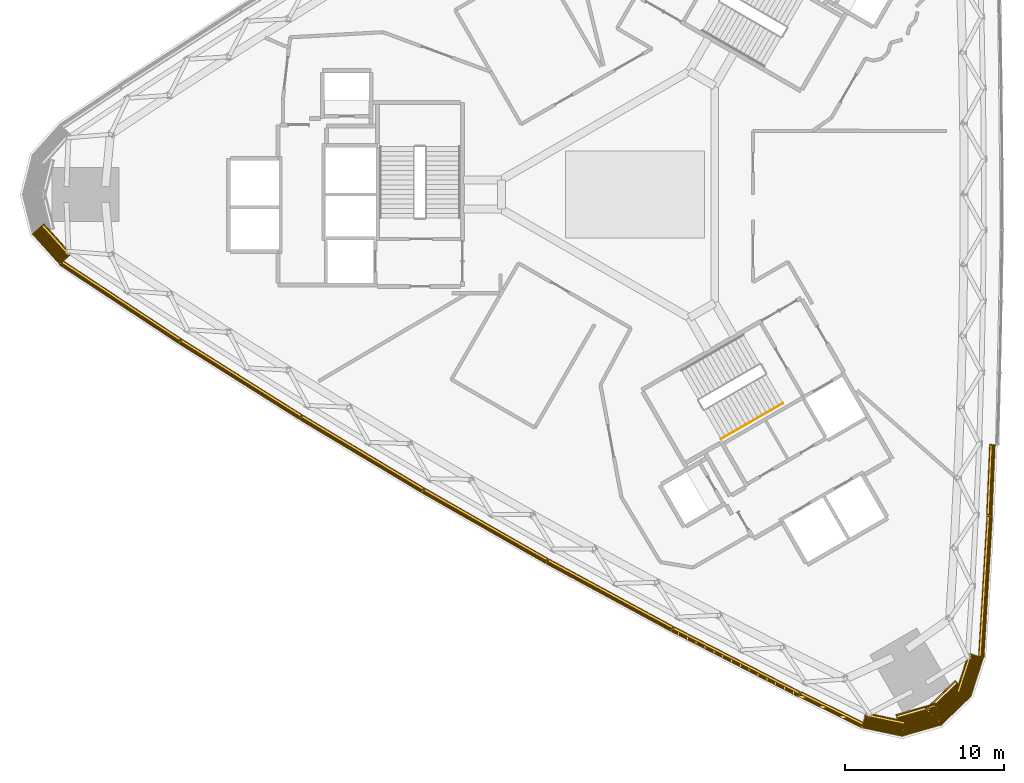
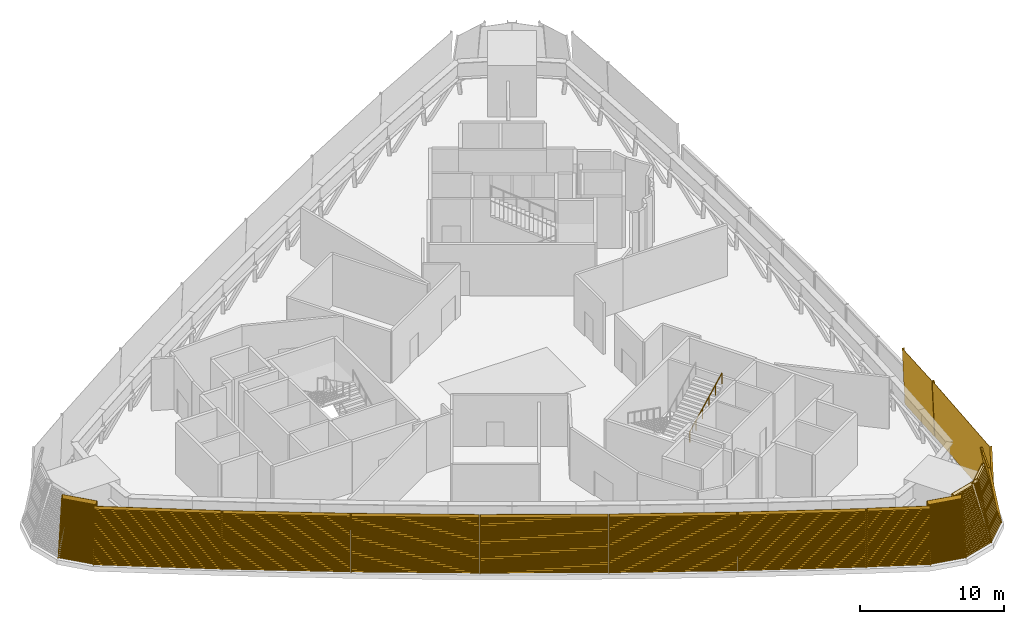
# One storey, part 16 of 19: 14 coverings, 1 railing.
"""IFC4 building model written with IfcOpenShell, lengths in metres."""

from ifc_helpers import new_model, si_unit, direction, frame, frame_2d, origin, origin_2d, place, context, subcontext, project, spatial, rectangle, circle, extrude, source, transform, mapped, material, type_object, element, save


model = new_model("IFC4")

# Units and contexts
model_context = context("Model", 3, precision=1e-05, world=origin(), true_north=direction((0.0, 1.0)))
body_context = subcontext(model_context, "Body", "Model", "MODEL_VIEW")
ifc_project = project(units=[si_unit("LENGTHUNIT", "METRE"), si_unit("AREAUNIT", "SQUARE_METRE"), si_unit("VOLUMEUNIT", "CUBIC_METRE"), si_unit("PLANEANGLEUNIT", "RADIAN"), si_unit("MASSUNIT", "GRAM", prefix="KILO")], contexts=[model_context])

# Site, building, storey
site_placement = place(None, origin())
site = spatial("IfcSite", under=ifc_project, at=site_placement, CompositionType="ELEMENT")
building_placement = place(site_placement, origin())
building = spatial("IfcBuilding", under=site, at=building_placement, Name="Tamra Quay Hotel Tower", CompositionType="ELEMENT")
storey_placement = place(building_placement, frame((0.0, 0.0, 74.60009765625)))
storey = spatial("IfcBuildingStorey", under=building, at=storey_placement, Name="L17", CompositionType="ELEMENT", Elevation=74.60009765625)

# Railing
ifc_material_1 = material(Name="Stair handrail 900")
railing_type = type_object("IfcRailingType", Name="Stair handrail 900", PredefinedType="HANDRAIL", material=ifc_material_1)
railing_placement = place(storey_placement, frame((5.393310546875, -15.351318359375, 2.5498046875)))
element("IfcRailing", 1, at=railing_placement, inside=storey, type_object=railing_type, Name="HR", PredefinedType="HANDRAIL", context=body_context, shape_type="SweptSolid", body=[
    extrude(circle(Radius=0.02392578125, at=origin_2d()), frame((0.0, 0.0, 0.8759765625), z_axis=(0.774075664405, 0.446909609502, 0.448417959844), x_axis=(-0.499997328569, 0.86602694613, 0.0)), (0.0, 0.0, 1.0), 5.017578125),
    extrude(circle(Radius=0.02099609375, at=origin_2d()), origin(), (0.0, 0.0, 1.0), 0.851806640625),
    extrude(circle(Radius=0.02099609375, at=origin_2d()), frame((0.77685546875, 0.448486328125, 0.449951171875)), (0.0, 0.0, 1.0), 0.851806640625),
    extrude(circle(Radius=0.02099609375, at=origin_2d()), frame((1.5537109375, 0.89697265625, 0.89990234375)), (0.0, 0.0, 1.0), 0.851806640625),
    extrude(circle(Radius=0.02099609375, at=origin_2d()), frame((2.330322265625, 1.345458984375, 1.35009765625)), (0.0, 0.0, 1.0), 0.851806640625),
    extrude(circle(Radius=0.02099609375, at=origin_2d()), frame((3.107177734375, 1.7939453125, 1.800048828125)), (0.0, 0.0, 1.0), 0.851806640625),
    extrude(circle(Radius=0.02099609375, at=origin_2d()), frame((3.884033203125, 2.242431640625, 2.25)), (0.0, 0.0, 1.0), 0.851806640625),
])

# Coverings
ifc_material_2 = material(Name="Terracotta louvre panel", Category="masonry")
covering_type_1 = type_object("IfcCoveringType", Name="PLANT LOUVRE H4805", PredefinedType="USERDEFINED", material=ifc_material_2)
shared_shape_1 = source(origin(), body_context, "Body", "SweptSolid", [
    extrude(rectangle(XDim=8.93994140625, YDim=0.030029296875, at=frame_2d((4.469970703125, 0.01513671875))), frame((-4.469970703125, -0.030029296875, 0.0)), (0.0, 0.0, 1.0), 4.804931640625),
    extrude(rectangle(XDim=0.050048828125, YDim=0.139892578125, at=frame_2d((0.02490234375, 0.06982421875))), frame((-4.469970703125, -0.169921875, 0.0)), (0.0, 0.0, 1.0), 4.804931640625),
    extrude(rectangle(XDim=0.050048828125, YDim=0.139892578125, at=frame_2d((0.02490234375, 0.06982421875))), frame((4.419921875, -0.169921875, 0.0)), (0.0, 0.0, 1.0), 4.804931640625),
    extrude(rectangle(XDim=8.840087890625, YDim=0.139892578125, at=frame_2d((4.419921875, 0.06982421875))), frame((-4.419921875, -0.169921875, 0.050048828125)), (0.0, 0.0, 1.0), 0.034912109375),
    extrude(rectangle(XDim=8.840087890625, YDim=0.139892578125, at=frame_2d((4.419921875, 0.06982421875))), frame((-4.419921875, -0.169921875, 0.2099609375)), (0.0, 0.0, 1.0), 0.034912109375),
    extrude(rectangle(XDim=8.840087890625, YDim=0.139892578125, at=frame_2d((4.419921875, 0.06982421875))), frame((-4.419921875, -0.169921875, 0.3701171875)), (0.0, 0.0, 1.0), 0.034912109375),
    extrude(rectangle(XDim=8.840087890625, YDim=0.139892578125, at=frame_2d((4.419921875, 0.06982421875))), frame((-4.419921875, -0.169921875, 0.530029296875)), (0.0, 0.0, 1.0), 0.034912109375),
    extrude(rectangle(XDim=8.840087890625, YDim=0.139892578125, at=frame_2d((4.419921875, 0.06982421875))), frame((-4.419921875, -0.169921875, 0.68994140625)), (0.0, 0.0, 1.0), 0.034912109375),
    extrude(rectangle(XDim=8.840087890625, YDim=0.139892578125, at=frame_2d((4.419921875, 0.06982421875))), frame((-4.419921875, -0.169921875, 0.85009765625)), (0.0, 0.0, 1.0), 0.034912109375),
    extrude(rectangle(XDim=8.840087890625, YDim=0.139892578125, at=frame_2d((4.419921875, 0.06982421875))), frame((-4.419921875, -0.169921875, 1.010009765625)), (0.0, 0.0, 1.0), 0.034912109375),
    extrude(rectangle(XDim=8.840087890625, YDim=0.139892578125, at=frame_2d((4.419921875, 0.06982421875))), frame((-4.419921875, -0.169921875, 1.169921875)), (0.0, 0.0, 1.0), 0.034912109375),
    extrude(rectangle(XDim=8.840087890625, YDim=0.139892578125, at=frame_2d((4.419921875, 0.06982421875))), frame((-4.419921875, -0.169921875, 1.330078125)), (0.0, 0.0, 1.0), 0.034912109375),
    extrude(rectangle(XDim=8.840087890625, YDim=0.139892578125, at=frame_2d((4.419921875, 0.06982421875))), frame((-4.419921875, -0.169921875, 1.489990234375)), (0.0, 0.0, 1.0), 0.034912109375),
    extrude(rectangle(XDim=8.840087890625, YDim=0.139892578125, at=frame_2d((4.419921875, 0.06982421875))), frame((-4.419921875, -0.169921875, 1.64990234375)), (0.0, 0.0, 1.0), 0.034912109375),
    extrude(rectangle(XDim=8.840087890625, YDim=0.139892578125, at=frame_2d((4.419921875, 0.06982421875))), frame((-4.419921875, -0.169921875, 1.81005859375)), (0.0, 0.0, 1.0), 0.034912109375),
    extrude(rectangle(XDim=8.840087890625, YDim=0.139892578125, at=frame_2d((4.419921875, 0.06982421875))), frame((-4.419921875, -0.169921875, 1.969970703125)), (0.0, 0.0, 1.0), 0.034912109375),
    extrude(rectangle(XDim=8.840087890625, YDim=0.139892578125, at=frame_2d((4.419921875, 0.06982421875))), frame((-4.419921875, -0.169921875, 2.1298828125)), (0.0, 0.0, 1.0), 0.034912109375),
    extrude(rectangle(XDim=8.840087890625, YDim=0.139892578125, at=frame_2d((4.419921875, 0.06982421875))), frame((-4.419921875, -0.169921875, 2.2900390625)), (0.0, 0.0, 1.0), 0.034912109375),
    extrude(rectangle(XDim=8.840087890625, YDim=0.139892578125, at=frame_2d((4.419921875, 0.06982421875))), frame((-4.419921875, -0.169921875, 2.449951171875)), (0.0, 0.0, 1.0), 0.034912109375),
    extrude(rectangle(XDim=8.840087890625, YDim=0.139892578125, at=frame_2d((4.419921875, 0.06982421875))), frame((-4.419921875, -0.169921875, 2.610107421875)), (0.0, 0.0, 1.0), 0.034912109375),
    extrude(rectangle(XDim=8.840087890625, YDim=0.139892578125, at=frame_2d((4.419921875, 0.06982421875))), frame((-4.419921875, -0.169921875, 2.77001953125)), (0.0, 0.0, 1.0), 0.034912109375),
    extrude(rectangle(XDim=8.840087890625, YDim=0.139892578125, at=frame_2d((4.419921875, 0.06982421875))), frame((-4.419921875, -0.169921875, 2.929931640625)), (0.0, 0.0, 1.0), 0.034912109375),
    extrude(rectangle(XDim=8.840087890625, YDim=0.139892578125, at=frame_2d((4.419921875, 0.06982421875))), frame((-4.419921875, -0.169921875, 3.090087890625)), (0.0, 0.0, 1.0), 0.034912109375),
    extrude(rectangle(XDim=8.840087890625, YDim=0.139892578125, at=frame_2d((4.419921875, 0.06982421875))), frame((-4.419921875, -0.169921875, 3.25)), (0.0, 0.0, 1.0), 0.034912109375),
    extrude(rectangle(XDim=8.840087890625, YDim=0.139892578125, at=frame_2d((4.419921875, 0.06982421875))), frame((-4.419921875, -0.169921875, 3.409912109375)), (0.0, 0.0, 1.0), 0.034912109375),
    extrude(rectangle(XDim=8.840087890625, YDim=0.139892578125, at=frame_2d((4.419921875, 0.06982421875))), frame((-4.419921875, -0.169921875, 3.570068359375)), (0.0, 0.0, 1.0), 0.034912109375),
    extrude(rectangle(XDim=8.840087890625, YDim=0.139892578125, at=frame_2d((4.419921875, 0.06982421875))), frame((-4.419921875, -0.169921875, 3.72998046875)), (0.0, 0.0, 1.0), 0.034912109375),
    extrude(rectangle(XDim=8.840087890625, YDim=0.139892578125, at=frame_2d((4.419921875, 0.06982421875))), frame((-4.419921875, -0.169921875, 3.889892578125)), (0.0, 0.0, 1.0), 0.034912109375),
    extrude(rectangle(XDim=8.840087890625, YDim=0.139892578125, at=frame_2d((4.419921875, 0.06982421875))), frame((-4.419921875, -0.169921875, 4.050048828125)), (0.0, 0.0, 1.0), 0.034912109375),
    extrude(rectangle(XDim=8.840087890625, YDim=0.139892578125, at=frame_2d((4.419921875, 0.06982421875))), frame((-4.419921875, -0.169921875, 4.2099609375)), (0.0, 0.0, 1.0), 0.034912109375),
    extrude(rectangle(XDim=8.840087890625, YDim=0.139892578125, at=frame_2d((4.419921875, 0.06982421875))), frame((-4.419921875, -0.169921875, 4.3701171875)), (0.0, 0.0, 1.0), 0.034912109375),
    extrude(rectangle(XDim=8.840087890625, YDim=0.139892578125, at=frame_2d((4.419921875, 0.06982421875))), frame((-4.419921875, -0.169921875, 4.530029296875)), (0.0, 0.0, 1.0), 0.034912109375),
])
for number, where, z_axis, x_axis, name in (
    (2, (22.019775390625, -24.623046875, 0.0), (-0.04354226765, 0.002592659263, 0.999048221582), (0.059438231924, 0.998231985355, 0.0), "Plant louvre L17.E.f00"),
    (3, (-32.333984375, -6.758056640625, 0.0), (0.02401644261, 0.036412380292, 0.999048221582), (0.834775142225, -0.55059101148, 0.0), "Plant louvre L17.SW.f00"),
    (4, (-24.802734375, -11.60986328125, 0.0), (0.023225010231, 0.036922213556, 0.999048221582), (0.846463368388, -0.532446960718, 0.0), "Plant louvre L17.SW.f02"),
    (5, (-17.16796875, -16.297607421875, 0.0), (0.0224205813, 0.037416152773, 0.999048221582), (0.857787214186, -0.514004956376, 0.0), "Plant louvre L17.SW.f04"),
    (6, (-9.433837890625, -20.819091796875, 0.0), (0.021604689113, 0.037893117613, 0.999048221582), (0.868721912476, -0.495300150196, 0.0), "Plant louvre L17.SW.f06"),
    (7, (-1.603271484375, -25.172119140625, 0.0), (0.020779258683, 0.038351966869, 0.999048221582), (0.879241300375, -0.476376674192, 0.0), "Plant louvre L17.SW.f08"),
    (8, (6.31982421875, -29.3544921875, 0.0), (0.019945115358, 0.038792310159, 0.999048221582), (0.889336428191, -0.457253449951, 0.0), "Plant louvre L17.SW.f10"),
):
    element("IfcCovering", number, at=place(storey_placement, frame(where, z_axis=z_axis, x_axis=x_axis)), inside=storey, type_object=covering_type_1, Name=name, ObjectType="LOUVER", PredefinedType="USERDEFINED", context=body_context, shape_type="MappedRepresentation", body=[
        mapped(shared_shape_1, transform((0.0, 0.0, 0.0), scale=1.0)),
    ])
shared_shape_2 = source(origin(), body_context, "Body", "SweptSolid", [
    extrude(rectangle(XDim=4.4599609375, YDim=0.030029296875, at=frame_2d((2.22998046875, 0.01513671875))), frame((-2.22998046875, -0.030029296875, 0.0)), (0.0, 0.0, 1.0), 4.804931640625),
    extrude(rectangle(XDim=0.050048828125, YDim=0.139892578125, at=frame_2d((0.02490234375, 0.06982421875))), frame((-2.22998046875, -0.169921875, 0.0)), (0.0, 0.0, 1.0), 4.804931640625),
    extrude(rectangle(XDim=0.050048828125, YDim=0.139892578125, at=frame_2d((0.02490234375, 0.06982421875))), frame((2.179931640625, -0.169921875, 0.0)), (0.0, 0.0, 1.0), 4.804931640625),
    extrude(rectangle(XDim=4.360107421875, YDim=0.139892578125, at=frame_2d((2.18017578125, 0.06982421875))), frame((-2.179931640625, -0.169921875, 0.050048828125)), (0.0, 0.0, 1.0), 0.034912109375),
    extrude(rectangle(XDim=4.360107421875, YDim=0.139892578125, at=frame_2d((2.18017578125, 0.06982421875))), frame((-2.179931640625, -0.169921875, 0.2099609375)), (0.0, 0.0, 1.0), 0.034912109375),
    extrude(rectangle(XDim=4.360107421875, YDim=0.139892578125, at=frame_2d((2.18017578125, 0.06982421875))), frame((-2.179931640625, -0.169921875, 0.3701171875)), (0.0, 0.0, 1.0), 0.034912109375),
    extrude(rectangle(XDim=4.360107421875, YDim=0.139892578125, at=frame_2d((2.18017578125, 0.06982421875))), frame((-2.179931640625, -0.169921875, 0.530029296875)), (0.0, 0.0, 1.0), 0.034912109375),
    extrude(rectangle(XDim=4.360107421875, YDim=0.139892578125, at=frame_2d((2.18017578125, 0.06982421875))), frame((-2.179931640625, -0.169921875, 0.68994140625)), (0.0, 0.0, 1.0), 0.034912109375),
    extrude(rectangle(XDim=4.360107421875, YDim=0.139892578125, at=frame_2d((2.18017578125, 0.06982421875))), frame((-2.179931640625, -0.169921875, 0.85009765625)), (0.0, 0.0, 1.0), 0.034912109375),
    extrude(rectangle(XDim=4.360107421875, YDim=0.139892578125, at=frame_2d((2.18017578125, 0.06982421875))), frame((-2.179931640625, -0.169921875, 1.010009765625)), (0.0, 0.0, 1.0), 0.034912109375),
    extrude(rectangle(XDim=4.360107421875, YDim=0.139892578125, at=frame_2d((2.18017578125, 0.06982421875))), frame((-2.179931640625, -0.169921875, 1.169921875)), (0.0, 0.0, 1.0), 0.034912109375),
    extrude(rectangle(XDim=4.360107421875, YDim=0.139892578125, at=frame_2d((2.18017578125, 0.06982421875))), frame((-2.179931640625, -0.169921875, 1.330078125)), (0.0, 0.0, 1.0), 0.034912109375),
    extrude(rectangle(XDim=4.360107421875, YDim=0.139892578125, at=frame_2d((2.18017578125, 0.06982421875))), frame((-2.179931640625, -0.169921875, 1.489990234375)), (0.0, 0.0, 1.0), 0.034912109375),
    extrude(rectangle(XDim=4.360107421875, YDim=0.139892578125, at=frame_2d((2.18017578125, 0.06982421875))), frame((-2.179931640625, -0.169921875, 1.64990234375)), (0.0, 0.0, 1.0), 0.034912109375),
    extrude(rectangle(XDim=4.360107421875, YDim=0.139892578125, at=frame_2d((2.18017578125, 0.06982421875))), frame((-2.179931640625, -0.169921875, 1.81005859375)), (0.0, 0.0, 1.0), 0.034912109375),
    extrude(rectangle(XDim=4.360107421875, YDim=0.139892578125, at=frame_2d((2.18017578125, 0.06982421875))), frame((-2.179931640625, -0.169921875, 1.969970703125)), (0.0, 0.0, 1.0), 0.034912109375),
    extrude(rectangle(XDim=4.360107421875, YDim=0.139892578125, at=frame_2d((2.18017578125, 0.06982421875))), frame((-2.179931640625, -0.169921875, 2.1298828125)), (0.0, 0.0, 1.0), 0.034912109375),
    extrude(rectangle(XDim=4.360107421875, YDim=0.139892578125, at=frame_2d((2.18017578125, 0.06982421875))), frame((-2.179931640625, -0.169921875, 2.2900390625)), (0.0, 0.0, 1.0), 0.034912109375),
    extrude(rectangle(XDim=4.360107421875, YDim=0.139892578125, at=frame_2d((2.18017578125, 0.06982421875))), frame((-2.179931640625, -0.169921875, 2.449951171875)), (0.0, 0.0, 1.0), 0.034912109375),
    extrude(rectangle(XDim=4.360107421875, YDim=0.139892578125, at=frame_2d((2.18017578125, 0.06982421875))), frame((-2.179931640625, -0.169921875, 2.610107421875)), (0.0, 0.0, 1.0), 0.034912109375),
    extrude(rectangle(XDim=4.360107421875, YDim=0.139892578125, at=frame_2d((2.18017578125, 0.06982421875))), frame((-2.179931640625, -0.169921875, 2.77001953125)), (0.0, 0.0, 1.0), 0.034912109375),
    extrude(rectangle(XDim=4.360107421875, YDim=0.139892578125, at=frame_2d((2.18017578125, 0.06982421875))), frame((-2.179931640625, -0.169921875, 2.929931640625)), (0.0, 0.0, 1.0), 0.034912109375),
    extrude(rectangle(XDim=4.360107421875, YDim=0.139892578125, at=frame_2d((2.18017578125, 0.06982421875))), frame((-2.179931640625, -0.169921875, 3.090087890625)), (0.0, 0.0, 1.0), 0.034912109375),
    extrude(rectangle(XDim=4.360107421875, YDim=0.139892578125, at=frame_2d((2.18017578125, 0.06982421875))), frame((-2.179931640625, -0.169921875, 3.25)), (0.0, 0.0, 1.0), 0.034912109375),
    extrude(rectangle(XDim=4.360107421875, YDim=0.139892578125, at=frame_2d((2.18017578125, 0.06982421875))), frame((-2.179931640625, -0.169921875, 3.409912109375)), (0.0, 0.0, 1.0), 0.034912109375),
    extrude(rectangle(XDim=4.360107421875, YDim=0.139892578125, at=frame_2d((2.18017578125, 0.06982421875))), frame((-2.179931640625, -0.169921875, 3.570068359375)), (0.0, 0.0, 1.0), 0.034912109375),
    extrude(rectangle(XDim=4.360107421875, YDim=0.139892578125, at=frame_2d((2.18017578125, 0.06982421875))), frame((-2.179931640625, -0.169921875, 3.72998046875)), (0.0, 0.0, 1.0), 0.034912109375),
    extrude(rectangle(XDim=4.360107421875, YDim=0.139892578125, at=frame_2d((2.18017578125, 0.06982421875))), frame((-2.179931640625, -0.169921875, 3.889892578125)), (0.0, 0.0, 1.0), 0.034912109375),
    extrude(rectangle(XDim=4.360107421875, YDim=0.139892578125, at=frame_2d((2.18017578125, 0.06982421875))), frame((-2.179931640625, -0.169921875, 4.050048828125)), (0.0, 0.0, 1.0), 0.034912109375),
    extrude(rectangle(XDim=4.360107421875, YDim=0.139892578125, at=frame_2d((2.18017578125, 0.06982421875))), frame((-2.179931640625, -0.169921875, 4.2099609375)), (0.0, 0.0, 1.0), 0.034912109375),
    extrude(rectangle(XDim=4.360107421875, YDim=0.139892578125, at=frame_2d((2.18017578125, 0.06982421875))), frame((-2.179931640625, -0.169921875, 4.3701171875)), (0.0, 0.0, 1.0), 0.034912109375),
    extrude(rectangle(XDim=4.360107421875, YDim=0.139892578125, at=frame_2d((2.18017578125, 0.06982421875))), frame((-2.179931640625, -0.169921875, 4.530029296875)), (0.0, 0.0, 1.0), 0.034912109375),
])
for number, where, z_axis, x_axis, name in (
    (9, (22.35888671875, -17.912353515625, 0.0), (-0.043578503611, 0.001888114714, 0.999048221582), (0.043286135536, 0.999062715985, 0.0), "Plant louvre L17.E.f02s"),
    (10, (12.32275390625, -32.373046875, 0.0), (0.019315483837, 0.03910962846, 0.999048221582), (0.896611136058, -0.442818778618, 0.0), "Plant louvre L17.SW.f12"),
):
    element("IfcCovering", number, at=place(storey_placement, frame(where, z_axis=z_axis, x_axis=x_axis)), inside=storey, type_object=covering_type_1, Name=name, ObjectType="LOUVER", PredefinedType="USERDEFINED", context=body_context, shape_type="MappedRepresentation", body=[
        mapped(shared_shape_2, transform((0.0, 0.0, 0.0), scale=1.0)),
    ])
covering_type_2 = type_object("IfcCoveringType", Name="PLANT LOUVRE H4874", PredefinedType="USERDEFINED", material=ifc_material_2)
shared_shape_3 = source(origin(), body_context, "Body", "SweptSolid", [
    extrude(rectangle(XDim=2.60009765625, YDim=0.030029296875, at=frame_2d((1.300048828125, 0.01513671875))), frame((-1.300048828125, -0.030029296875, 0.0)), (0.0, 0.0, 1.0), 4.8740234375),
    extrude(rectangle(XDim=0.050048828125, YDim=0.139892578125, at=frame_2d((0.02490234375, 0.06982421875))), frame((-1.300048828125, -0.169921875, 0.0)), (0.0, 0.0, 1.0), 4.8740234375),
    extrude(rectangle(XDim=0.050048828125, YDim=0.139892578125, at=frame_2d((0.02490234375, 0.06982421875))), frame((1.25, -0.169921875, 0.0)), (0.0, 0.0, 1.0), 4.8740234375),
    extrude(rectangle(XDim=2.5, YDim=0.139892578125, at=frame_2d((1.25, 0.06982421875))), frame((-1.25, -0.169921875, 0.050048828125)), (0.0, 0.0, 1.0), 0.034912109375),
    extrude(rectangle(XDim=2.5, YDim=0.139892578125, at=frame_2d((1.25, 0.06982421875))), frame((-1.25, -0.169921875, 0.2099609375)), (0.0, 0.0, 1.0), 0.034912109375),
    extrude(rectangle(XDim=2.5, YDim=0.139892578125, at=frame_2d((1.25, 0.06982421875))), frame((-1.25, -0.169921875, 0.3701171875)), (0.0, 0.0, 1.0), 0.034912109375),
    extrude(rectangle(XDim=2.5, YDim=0.139892578125, at=frame_2d((1.25, 0.06982421875))), frame((-1.25, -0.169921875, 0.530029296875)), (0.0, 0.0, 1.0), 0.034912109375),
    extrude(rectangle(XDim=2.5, YDim=0.139892578125, at=frame_2d((1.25, 0.06982421875))), frame((-1.25, -0.169921875, 0.68994140625)), (0.0, 0.0, 1.0), 0.034912109375),
    extrude(rectangle(XDim=2.5, YDim=0.139892578125, at=frame_2d((1.25, 0.06982421875))), frame((-1.25, -0.169921875, 0.85009765625)), (0.0, 0.0, 1.0), 0.034912109375),
    extrude(rectangle(XDim=2.5, YDim=0.139892578125, at=frame_2d((1.25, 0.06982421875))), frame((-1.25, -0.169921875, 1.010009765625)), (0.0, 0.0, 1.0), 0.034912109375),
    extrude(rectangle(XDim=2.5, YDim=0.139892578125, at=frame_2d((1.25, 0.06982421875))), frame((-1.25, -0.169921875, 1.169921875)), (0.0, 0.0, 1.0), 0.034912109375),
    extrude(rectangle(XDim=2.5, YDim=0.139892578125, at=frame_2d((1.25, 0.06982421875))), frame((-1.25, -0.169921875, 1.330078125)), (0.0, 0.0, 1.0), 0.034912109375),
    extrude(rectangle(XDim=2.5, YDim=0.139892578125, at=frame_2d((1.25, 0.06982421875))), frame((-1.25, -0.169921875, 1.489990234375)), (0.0, 0.0, 1.0), 0.034912109375),
    extrude(rectangle(XDim=2.5, YDim=0.139892578125, at=frame_2d((1.25, 0.06982421875))), frame((-1.25, -0.169921875, 1.64990234375)), (0.0, 0.0, 1.0), 0.034912109375),
    extrude(rectangle(XDim=2.5, YDim=0.139892578125, at=frame_2d((1.25, 0.06982421875))), frame((-1.25, -0.169921875, 1.81005859375)), (0.0, 0.0, 1.0), 0.034912109375),
    extrude(rectangle(XDim=2.5, YDim=0.139892578125, at=frame_2d((1.25, 0.06982421875))), frame((-1.25, -0.169921875, 1.969970703125)), (0.0, 0.0, 1.0), 0.034912109375),
    extrude(rectangle(XDim=2.5, YDim=0.139892578125, at=frame_2d((1.25, 0.06982421875))), frame((-1.25, -0.169921875, 2.1298828125)), (0.0, 0.0, 1.0), 0.034912109375),
    extrude(rectangle(XDim=2.5, YDim=0.139892578125, at=frame_2d((1.25, 0.06982421875))), frame((-1.25, -0.169921875, 2.2900390625)), (0.0, 0.0, 1.0), 0.034912109375),
    extrude(rectangle(XDim=2.5, YDim=0.139892578125, at=frame_2d((1.25, 0.06982421875))), frame((-1.25, -0.169921875, 2.449951171875)), (0.0, 0.0, 1.0), 0.034912109375),
    extrude(rectangle(XDim=2.5, YDim=0.139892578125, at=frame_2d((1.25, 0.06982421875))), frame((-1.25, -0.169921875, 2.610107421875)), (0.0, 0.0, 1.0), 0.034912109375),
    extrude(rectangle(XDim=2.5, YDim=0.139892578125, at=frame_2d((1.25, 0.06982421875))), frame((-1.25, -0.169921875, 2.77001953125)), (0.0, 0.0, 1.0), 0.034912109375),
    extrude(rectangle(XDim=2.5, YDim=0.139892578125, at=frame_2d((1.25, 0.06982421875))), frame((-1.25, -0.169921875, 2.929931640625)), (0.0, 0.0, 1.0), 0.034912109375),
    extrude(rectangle(XDim=2.5, YDim=0.139892578125, at=frame_2d((1.25, 0.06982421875))), frame((-1.25, -0.169921875, 3.090087890625)), (0.0, 0.0, 1.0), 0.034912109375),
    extrude(rectangle(XDim=2.5, YDim=0.139892578125, at=frame_2d((1.25, 0.06982421875))), frame((-1.25, -0.169921875, 3.25)), (0.0, 0.0, 1.0), 0.034912109375),
    extrude(rectangle(XDim=2.5, YDim=0.139892578125, at=frame_2d((1.25, 0.06982421875))), frame((-1.25, -0.169921875, 3.409912109375)), (0.0, 0.0, 1.0), 0.034912109375),
    extrude(rectangle(XDim=2.5, YDim=0.139892578125, at=frame_2d((1.25, 0.06982421875))), frame((-1.25, -0.169921875, 3.570068359375)), (0.0, 0.0, 1.0), 0.034912109375),
    extrude(rectangle(XDim=2.5, YDim=0.139892578125, at=frame_2d((1.25, 0.06982421875))), frame((-1.25, -0.169921875, 3.72998046875)), (0.0, 0.0, 1.0), 0.034912109375),
    extrude(rectangle(XDim=2.5, YDim=0.139892578125, at=frame_2d((1.25, 0.06982421875))), frame((-1.25, -0.169921875, 3.889892578125)), (0.0, 0.0, 1.0), 0.034912109375),
    extrude(rectangle(XDim=2.5, YDim=0.139892578125, at=frame_2d((1.25, 0.06982421875))), frame((-1.25, -0.169921875, 4.050048828125)), (0.0, 0.0, 1.0), 0.034912109375),
    extrude(rectangle(XDim=2.5, YDim=0.139892578125, at=frame_2d((1.25, 0.06982421875))), frame((-1.25, -0.169921875, 4.2099609375)), (0.0, 0.0, 1.0), 0.034912109375),
    extrude(rectangle(XDim=2.5, YDim=0.139892578125, at=frame_2d((1.25, 0.06982421875))), frame((-1.25, -0.169921875, 4.3701171875)), (0.0, 0.0, 1.0), 0.034912109375),
    extrude(rectangle(XDim=2.5, YDim=0.139892578125, at=frame_2d((1.25, 0.06982421875))), frame((-1.25, -0.169921875, 4.530029296875)), (0.0, 0.0, 1.0), 0.034912109375),
])
for number, where, z_axis, x_axis, name in (
    (11, (-36.8876953125, -3.33935546875, 0.0), (0.12904862274, 0.116190113933, 0.984807753012), (0.669112198553, -0.743161399527, 0.0), "Plant louvre L17.NW.c03"),
    (12, (15.552001953125, -33.615234375, 0.0), (0.036099278965, 0.169854442583, 0.984807753012), (0.978152750379, -0.207887462165, 0.0), "Plant louvre L17.SW.c00"),
    (13, (21.335693359375, -30.276123046875, 0.0), (-0.165147901705, 0.05366432865, 0.984807753012), (0.309040551826, 0.951048861693, 0.0), "Plant louvre L17.SW.c03"),
):
    element("IfcCovering", number, at=place(storey_placement, frame(where, z_axis=z_axis, x_axis=x_axis)), inside=storey, type_object=covering_type_2, Name=name, ObjectType="LOUVER", PredefinedType="USERDEFINED", context=body_context, shape_type="MappedRepresentation", body=[
        mapped(shared_shape_3, transform((0.0, 0.0, 0.0), scale=1.0)),
    ])
covering_type_3 = type_object("IfcCoveringType", Name="PLANT LOUVRE H4969", PredefinedType="USERDEFINED", material=ifc_material_2)
shared_shape_4 = source(origin(), body_context, "Body", "SweptSolid", [
    extrude(rectangle(XDim=2.60009765625, YDim=0.030029296875, at=frame_2d((1.300048828125, 0.01513671875))), frame((-1.300048828125, -0.030029296875, 0.0)), (0.0, 0.0, 1.0), 4.968994140625),
    extrude(rectangle(XDim=0.050048828125, YDim=0.139892578125, at=frame_2d((0.02490234375, 0.06982421875))), frame((-1.300048828125, -0.169921875, 0.0)), (0.0, 0.0, 1.0), 4.968994140625),
    extrude(rectangle(XDim=0.050048828125, YDim=0.139892578125, at=frame_2d((0.02490234375, 0.06982421875))), frame((1.25, -0.169921875, 0.0)), (0.0, 0.0, 1.0), 4.968994140625),
    extrude(rectangle(XDim=2.5, YDim=0.139892578125, at=frame_2d((1.25, 0.06982421875))), frame((-1.25, -0.169921875, 0.050048828125)), (0.0, 0.0, 1.0), 0.034912109375),
    extrude(rectangle(XDim=2.5, YDim=0.139892578125, at=frame_2d((1.25, 0.06982421875))), frame((-1.25, -0.169921875, 0.2099609375)), (0.0, 0.0, 1.0), 0.034912109375),
    extrude(rectangle(XDim=2.5, YDim=0.139892578125, at=frame_2d((1.25, 0.06982421875))), frame((-1.25, -0.169921875, 0.3701171875)), (0.0, 0.0, 1.0), 0.034912109375),
    extrude(rectangle(XDim=2.5, YDim=0.139892578125, at=frame_2d((1.25, 0.06982421875))), frame((-1.25, -0.169921875, 0.530029296875)), (0.0, 0.0, 1.0), 0.034912109375),
    extrude(rectangle(XDim=2.5, YDim=0.139892578125, at=frame_2d((1.25, 0.06982421875))), frame((-1.25, -0.169921875, 0.68994140625)), (0.0, 0.0, 1.0), 0.034912109375),
    extrude(rectangle(XDim=2.5, YDim=0.139892578125, at=frame_2d((1.25, 0.06982421875))), frame((-1.25, -0.169921875, 0.85009765625)), (0.0, 0.0, 1.0), 0.034912109375),
    extrude(rectangle(XDim=2.5, YDim=0.139892578125, at=frame_2d((1.25, 0.06982421875))), frame((-1.25, -0.169921875, 1.010009765625)), (0.0, 0.0, 1.0), 0.034912109375),
    extrude(rectangle(XDim=2.5, YDim=0.139892578125, at=frame_2d((1.25, 0.06982421875))), frame((-1.25, -0.169921875, 1.169921875)), (0.0, 0.0, 1.0), 0.034912109375),
    extrude(rectangle(XDim=2.5, YDim=0.139892578125, at=frame_2d((1.25, 0.06982421875))), frame((-1.25, -0.169921875, 1.330078125)), (0.0, 0.0, 1.0), 0.034912109375),
    extrude(rectangle(XDim=2.5, YDim=0.139892578125, at=frame_2d((1.25, 0.06982421875))), frame((-1.25, -0.169921875, 1.489990234375)), (0.0, 0.0, 1.0), 0.034912109375),
    extrude(rectangle(XDim=2.5, YDim=0.139892578125, at=frame_2d((1.25, 0.06982421875))), frame((-1.25, -0.169921875, 1.64990234375)), (0.0, 0.0, 1.0), 0.034912109375),
    extrude(rectangle(XDim=2.5, YDim=0.139892578125, at=frame_2d((1.25, 0.06982421875))), frame((-1.25, -0.169921875, 1.81005859375)), (0.0, 0.0, 1.0), 0.034912109375),
    extrude(rectangle(XDim=2.5, YDim=0.139892578125, at=frame_2d((1.25, 0.06982421875))), frame((-1.25, -0.169921875, 1.969970703125)), (0.0, 0.0, 1.0), 0.034912109375),
    extrude(rectangle(XDim=2.5, YDim=0.139892578125, at=frame_2d((1.25, 0.06982421875))), frame((-1.25, -0.169921875, 2.1298828125)), (0.0, 0.0, 1.0), 0.034912109375),
    extrude(rectangle(XDim=2.5, YDim=0.139892578125, at=frame_2d((1.25, 0.06982421875))), frame((-1.25, -0.169921875, 2.2900390625)), (0.0, 0.0, 1.0), 0.034912109375),
    extrude(rectangle(XDim=2.5, YDim=0.139892578125, at=frame_2d((1.25, 0.06982421875))), frame((-1.25, -0.169921875, 2.449951171875)), (0.0, 0.0, 1.0), 0.034912109375),
    extrude(rectangle(XDim=2.5, YDim=0.139892578125, at=frame_2d((1.25, 0.06982421875))), frame((-1.25, -0.169921875, 2.610107421875)), (0.0, 0.0, 1.0), 0.034912109375),
    extrude(rectangle(XDim=2.5, YDim=0.139892578125, at=frame_2d((1.25, 0.06982421875))), frame((-1.25, -0.169921875, 2.77001953125)), (0.0, 0.0, 1.0), 0.034912109375),
    extrude(rectangle(XDim=2.5, YDim=0.139892578125, at=frame_2d((1.25, 0.06982421875))), frame((-1.25, -0.169921875, 2.929931640625)), (0.0, 0.0, 1.0), 0.034912109375),
    extrude(rectangle(XDim=2.5, YDim=0.139892578125, at=frame_2d((1.25, 0.06982421875))), frame((-1.25, -0.169921875, 3.090087890625)), (0.0, 0.0, 1.0), 0.034912109375),
    extrude(rectangle(XDim=2.5, YDim=0.139892578125, at=frame_2d((1.25, 0.06982421875))), frame((-1.25, -0.169921875, 3.25)), (0.0, 0.0, 1.0), 0.034912109375),
    extrude(rectangle(XDim=2.5, YDim=0.139892578125, at=frame_2d((1.25, 0.06982421875))), frame((-1.25, -0.169921875, 3.409912109375)), (0.0, 0.0, 1.0), 0.034912109375),
    extrude(rectangle(XDim=2.5, YDim=0.139892578125, at=frame_2d((1.25, 0.06982421875))), frame((-1.25, -0.169921875, 3.570068359375)), (0.0, 0.0, 1.0), 0.034912109375),
    extrude(rectangle(XDim=2.5, YDim=0.139892578125, at=frame_2d((1.25, 0.06982421875))), frame((-1.25, -0.169921875, 3.72998046875)), (0.0, 0.0, 1.0), 0.034912109375),
    extrude(rectangle(XDim=2.5, YDim=0.139892578125, at=frame_2d((1.25, 0.06982421875))), frame((-1.25, -0.169921875, 3.889892578125)), (0.0, 0.0, 1.0), 0.034912109375),
    extrude(rectangle(XDim=2.5, YDim=0.139892578125, at=frame_2d((1.25, 0.06982421875))), frame((-1.25, -0.169921875, 4.050048828125)), (0.0, 0.0, 1.0), 0.034912109375),
    extrude(rectangle(XDim=2.5, YDim=0.139892578125, at=frame_2d((1.25, 0.06982421875))), frame((-1.25, -0.169921875, 4.2099609375)), (0.0, 0.0, 1.0), 0.034912109375),
    extrude(rectangle(XDim=2.5, YDim=0.139892578125, at=frame_2d((1.25, 0.06982421875))), frame((-1.25, -0.169921875, 4.3701171875)), (0.0, 0.0, 1.0), 0.034912109375),
    extrude(rectangle(XDim=2.5, YDim=0.139892578125, at=frame_2d((1.25, 0.06982421875))), frame((-1.25, -0.169921875, 4.530029296875)), (0.0, 0.0, 1.0), 0.034912109375),
    extrude(rectangle(XDim=2.5, YDim=0.139892578125, at=frame_2d((1.25, 0.06982421875))), frame((-1.25, -0.169921875, 4.68994140625)), (0.0, 0.0, 1.0), 0.034912109375),
])
for number, where, z_axis, x_axis, name in (
    (14, (17.965087890625, -33.531005859375, 0.0), (-0.071342251415, 0.248792245198, 0.965925826289), (0.96125942007, 0.275645292589, 0.0), "Plant louvre L17.SW.c01"),
    (15, (20.05615234375, -32.32373046875, 0.0), (-0.179789278899, 0.186180324688, 0.965925826289), (0.719345535851, 0.694652431113, 0.0), "Plant louvre L17.SW.c02"),
):
    element("IfcCovering", number, at=place(storey_placement, frame(where, z_axis=z_axis, x_axis=x_axis)), inside=storey, type_object=covering_type_3, Name=name, ObjectType="LOUVER", PredefinedType="USERDEFINED", context=body_context, shape_type="MappedRepresentation", body=[
        mapped(shared_shape_4, transform((0.0, 0.0, 0.0), scale=1.0)),
    ])

save(model, "model.ifc")
